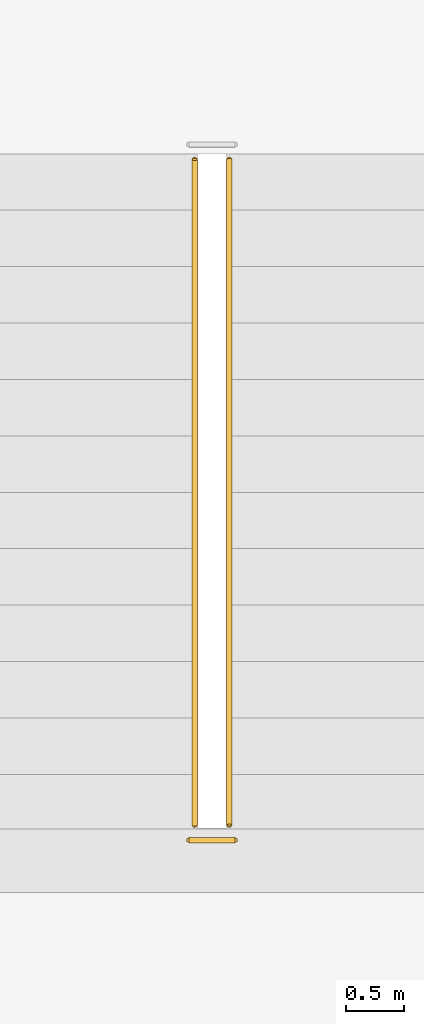
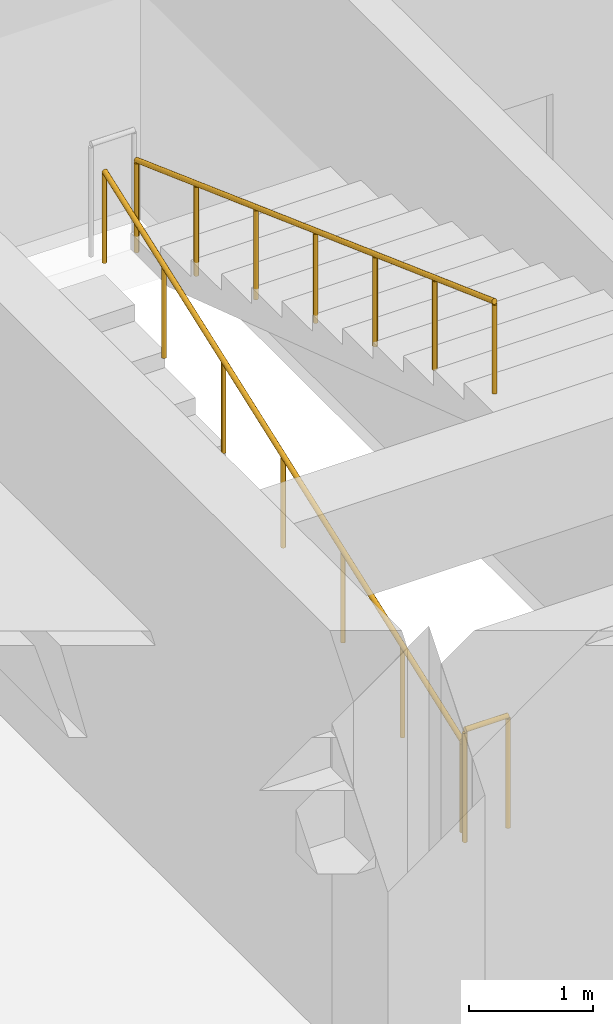
# One storey, part 47 of 50: 3 railings.
"""IFC4 building model written with IfcOpenShell, lengths in metres."""

from ifc_helpers import new_model, si_unit, direction, frame, origin, origin_2d, place, context, subcontext, project, spatial, circle, extrude, material, layer, layer_set, type_object, element, save


model = new_model("IFC4")

# Units and contexts
model_context = context("Model", 3, precision=1e-05, world=origin(), true_north=direction((0.0, 1.0)))
body_context = subcontext(model_context, "Body", "Model", "MODEL_VIEW")
ifc_project = project(units=[si_unit("LENGTHUNIT", "METRE"), si_unit("AREAUNIT", "SQUARE_METRE"), si_unit("VOLUMEUNIT", "CUBIC_METRE"), si_unit("PLANEANGLEUNIT", "RADIAN"), si_unit("MASSUNIT", "GRAM", prefix="KILO")], contexts=[model_context])

# Site, building, storey
site_placement = place(None, origin())
site = spatial("IfcSite", under=ifc_project, at=site_placement, CompositionType="ELEMENT")
building_placement = place(site_placement, origin())
building = spatial("IfcBuilding", under=site, at=building_placement, Name="Girod Span Mobility Hub", CompositionType="ELEMENT")
storey_placement = place(building_placement, frame((0.0, 0.0, 5.39990234375)))
storey = spatial("IfcBuildingStorey", under=building, at=storey_placement, Name="L01", CompositionType="ELEMENT", Elevation=5.39990234375)

# Railings
ifc_material_1 = material(Name="Painted Galvanised Steel", Category="steel")
ifc_layer_1 = layer(ifc_material_1, 0.06494140625)
ifc_layer_set_1 = layer_set([ifc_layer_1], Name="Painted Galvanised Steel")
railing_type_1 = type_object("IfcRailingType", Name="RL-GRD-1120", PredefinedType="GUARDRAIL", material=ifc_layer_set_1)
railing_1_placement = place(storey_placement, frame((110.10009765625, 59.72998046875, 0.0)))
element("IfcRailing", 1, at=railing_1_placement, inside=storey, type_object=railing_type_1, Name="Stair ST-2 Landing Well Guard L01", PredefinedType="GUARDRAIL", context=body_context, shape_type="SweptSolid", body=[
    extrude(circle(Radius=0.02392578125, at=origin_2d()), frame((0.0, 0.0, 1.09619140625), z_axis=(1.0, 0.0, 0.0), x_axis=(0.0, 1.0, 0.0)), (0.0, 0.0, 1.0), 0.39990234375),
    extrude(circle(Radius=0.02099609375, at=origin_2d()), origin(), (0.0, 0.0, 1.0), 1.072021484375),
    extrude(circle(Radius=0.02099609375, at=origin_2d()), frame((0.39990234375, 0.0, 0.0)), (0.0, 0.0, 1.0), 1.072021484375),
])
ifc_material_2 = material(Name="Painted Galvanised Steel", Category="steel")
ifc_layer_2 = layer(ifc_material_2, 0.050048828125)
ifc_layer_set_2 = layer_set([ifc_layer_2], Name="Painted Galvanised Steel")
railing_type_2 = type_object("IfcRailingType", Name="RL-HR-920", PredefinedType="HANDRAIL", material=ifc_layer_set_2)
railing_2_placement = place(storey_placement, frame((110.14990234375, 59.860107421875, 0.0)))
element("IfcRailing", 2, at=railing_2_placement, inside=storey, type_object=railing_type_2, Name="Stair ST-2 Flight 1 Handrail L01", PredefinedType="HANDRAIL", context=body_context, shape_type="SweptSolid", body=[
    extrude(circle(Radius=0.02392578125, at=origin_2d()), frame((0.0, 0.0, 0.89599609375), z_axis=(0.0, 0.939310406204, 0.343068449141), x_axis=(-1.0, 0.0, 0.0)), (0.0, 0.0, 1.0), 6.12158203125),
    extrude(circle(Radius=0.02099609375, at=origin_2d()), origin(), (0.0, 0.0, 1.0), 0.871826171875),
    extrude(circle(Radius=0.02099609375, at=origin_2d()), frame((0.0, 0.958251953125, 0.35009765625)), (0.0, 0.0, 1.0), 0.871826171875),
    extrude(circle(Radius=0.02099609375, at=origin_2d()), frame((0.0, 1.916748046875, 0.699951171875)), (0.0, 0.0, 1.0), 0.871826171875),
    extrude(circle(Radius=0.02099609375, at=origin_2d()), frame((0.0, 2.875, 1.050048828125)), (0.0, 0.0, 1.0), 0.871826171875),
    extrude(circle(Radius=0.02099609375, at=origin_2d()), frame((0.0, 3.833251953125, 1.400146484375)), (0.0, 0.0, 1.0), 0.871826171875),
    extrude(circle(Radius=0.02099609375, at=origin_2d()), frame((0.0, 4.791748046875, 1.75)), (0.0, 0.0, 1.0), 0.871826171875),
    extrude(circle(Radius=0.02099609375, at=origin_2d()), frame((0.0, 5.75, 2.10009765625)), (0.0, 0.0, 1.0), 0.871826171875),
])
railing_3_placement = place(storey_placement, frame((110.449951171875, 65.610107421875, 2.10009765625)))
element("IfcRailing", 3, at=railing_3_placement, inside=storey, type_object=railing_type_2, Name="Stair ST-2 Flight 2 Handrail L01", PredefinedType="HANDRAIL", context=body_context, shape_type="SweptSolid", body=[
    extrude(circle(Radius=0.02392578125, at=origin_2d()), frame((0.0, 0.0, 0.89599609375), z_axis=(0.0, -0.939310406204, 0.343068449141), x_axis=(1.0, 0.0, 0.0)), (0.0, 0.0, 1.0), 6.12158203125),
    extrude(circle(Radius=0.02099609375, at=origin_2d()), origin(), (0.0, 0.0, 1.0), 0.871826171875),
    extrude(circle(Radius=0.02099609375, at=origin_2d()), frame((0.0, -0.958251953125, 0.35009765625)), (0.0, 0.0, 1.0), 0.871826171875),
    extrude(circle(Radius=0.02099609375, at=origin_2d()), frame((0.0, -1.916748046875, 0.699951171875)), (0.0, 0.0, 1.0), 0.871826171875),
    extrude(circle(Radius=0.02099609375, at=origin_2d()), frame((0.0, -2.875, 1.050048828125)), (0.0, 0.0, 1.0), 0.871826171875),
    extrude(circle(Radius=0.02099609375, at=origin_2d()), frame((0.0, -3.833251953125, 1.400146484375)), (0.0, 0.0, 1.0), 0.871826171875),
    extrude(circle(Radius=0.02099609375, at=origin_2d()), frame((0.0, -4.791748046875, 1.75)), (0.0, 0.0, 1.0), 0.871826171875),
    extrude(circle(Radius=0.02099609375, at=origin_2d()), frame((0.0, -5.75, 2.10009765625)), (0.0, 0.0, 1.0), 0.871826171875),
])

save(model, "model.ifc")
